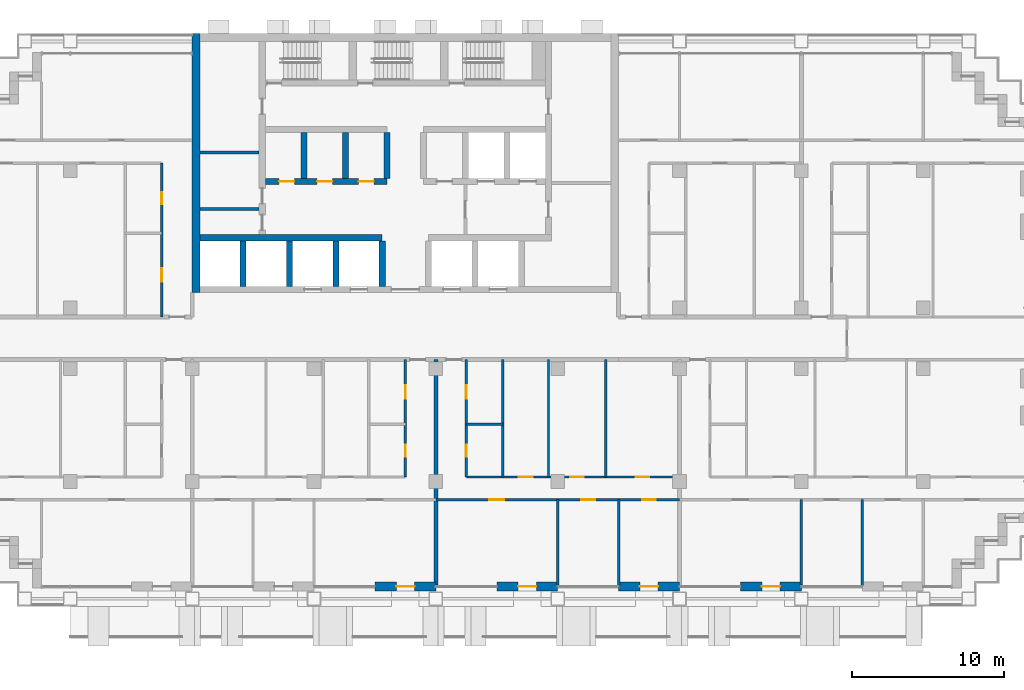
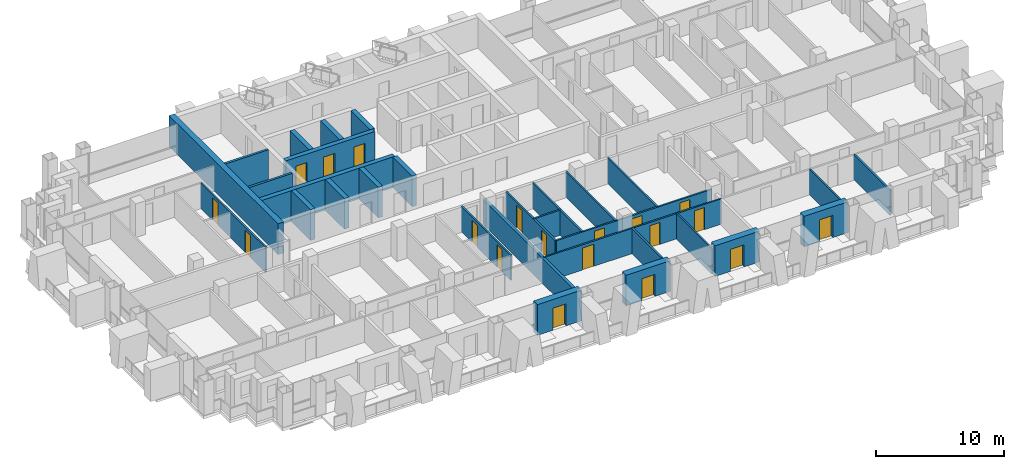
# One storey, part 10 of 17: 30 walls, 19 doors, 19 openings.
"""IFC4 building model written with IfcOpenShell, lengths in metres."""

import ifcopenshell
import ifcopenshell.guid

model = None  # the IFC model being written
_history = None  # IfcOwnerHistory: only IFC2X3 demands one
_inside = {}  # id of a spatial element -> (the spatial element, [elements in it])
_under = {}  # id of a project, library or spatial element -> (it, [spatial elements below it])
_declared = {}  # id of a project -> (the project, [libraries it declares])
_typed = {}  # id of a type object -> (the type object, [elements of that type])
_made_of = {}  # id of a material, layer set ... -> (it, [elements and type objects made of it])


def new_model(schema):
    """Start an empty IFC model of exactly this schema.

    Asked for "IFC4X3", IfcOpenShell would pick the latest addendum, in which some entities
    have other attributes; the version numbers below select the first issue.
    IFC2X3 requires an IfcOwnerHistory on every rooted entity: one is made here for all.
    """
    global model, _history
    if schema == "IFC4X3":
        model = ifcopenshell.file(schema_version=(4, 3, 0, 0))
    else:
        model = ifcopenshell.file(schema=schema)
    _inside.clear()
    _under.clear()
    _declared.clear()
    _typed.clear()
    _made_of.clear()
    _history = None
    if model.schema == "IFC2X3":
        org = make("IfcOrganization", Name="unknown")
        user = make(
            "IfcPersonAndOrganization",
            ThePerson=make("IfcPerson", FamilyName="unknown"),
            TheOrganization=org,
        )
        app = make(
            "IfcApplication",
            ApplicationDeveloper=org,
            Version="unknown",
            ApplicationFullName="unknown",
            ApplicationIdentifier="unknown",
        )
        _history = make(
            "IfcOwnerHistory",
            OwningUser=user,
            OwningApplication=app,
            ChangeAction="ADDED",
            CreationDate=0,
        )
    return model


def make(cls, **values):
    """One entity of the class cls with the attributes given. An attribute that is None is left unset."""
    return model.create_entity(
        cls, **{name: value for name, value in values.items() if value is not None}
    )


def rooted(cls, **values):
    """An entity with a GlobalId (a new one), such as an element, a storey or a relation."""
    return make(cls, GlobalId=ifcopenshell.guid.new(), OwnerHistory=_history, **values)


def si_unit(unit_type, name, prefix=None):
    """IfcSIUnit, for example si_unit("LENGTHUNIT", "METRE", prefix="MILLI")."""
    return make("IfcSIUnit", UnitType=unit_type, Prefix=prefix, Name=name)


def assignment(units):
    """IfcUnitAssignment: the units of a project."""
    return None if units is None else make("IfcUnitAssignment", Units=units)


def point(xyz):
    """IfcCartesianPoint."""
    return None if xyz is None else make("IfcCartesianPoint", Coordinates=xyz)


def direction(xyz):
    """IfcDirection."""
    return None if xyz is None else make("IfcDirection", DirectionRatios=xyz)


def frame(location, z_axis=None, x_axis=None):
    """IfcAxis2Placement3D, a coordinate frame: its origin and axes. An axis left out is left unset."""
    return make(
        "IfcAxis2Placement3D",
        Location=point(location),
        Axis=direction(z_axis),
        RefDirection=direction(x_axis),
    )


def frame_2d(location, x_axis=None):
    """IfcAxis2Placement2D, a coordinate frame in the plane: its origin and x axis."""
    return make(
        "IfcAxis2Placement2D", Location=point(location), RefDirection=direction(x_axis)
    )


def origin():
    """The frame at (0, 0, 0) with its axes left unset."""
    return frame((0.0, 0.0, 0.0))


def place(relative_to, where):
    """IfcLocalPlacement: puts the frame where relative to a parent placement (None: the world)."""
    return make(
        "IfcLocalPlacement", PlacementRelTo=relative_to, RelativePlacement=where
    )


def context(
    kind, dimensions, precision=None, world=None, true_north=None, identifier=None
):
    """IfcGeometricRepresentationContext, for example the 3D "Model" context."""
    return make(
        "IfcGeometricRepresentationContext",
        ContextIdentifier=identifier,
        ContextType=kind,
        CoordinateSpaceDimension=dimensions,
        Precision=precision,
        WorldCoordinateSystem=world,
        TrueNorth=true_north,
    )


def subcontext(parent, identifier, kind, view, scale=None):
    """IfcGeometricRepresentationSubContext, for example "Body" below "Model"."""
    return make(
        "IfcGeometricRepresentationSubContext",
        ContextIdentifier=identifier,
        ContextType=kind,
        ParentContext=parent,
        TargetScale=scale,
        TargetView=view,
    )


def project(units=None, contexts=None):
    """IfcProject with its units and contexts."""
    return rooted(
        "IfcProject",
        Name="project",
        RepresentationContexts=contexts,
        UnitsInContext=assignment(units),
    )


def spatial(cls, under=None, at=None, **own):
    """A site, building, storey or space (cls), placed at a placement, below another one or the project."""
    s = rooted(cls, ObjectPlacement=at, **own)
    if under is not None:
        _under.setdefault(under.id(), (under, []))[1].append(s)
    return s


def profile(cls, at=None, kind="AREA", **sizes):
    """A parametric profile (cls). Its sizes go by their IFC names, for example OverallWidth=200.0."""
    return make(cls, ProfileType=kind, Position=at, **sizes)


def rectangle(**sizes):
    """IfcRectangleProfileDef."""
    return profile("IfcRectangleProfileDef", **sizes)


def extrude(swept, where, along, depth):
    """IfcExtrudedAreaSolid: the profile swept, set in the frame where, extruded along a direction by depth."""
    return make(
        "IfcExtrudedAreaSolid",
        SweptArea=swept,
        Position=where,
        ExtrudedDirection=direction(along),
        Depth=depth,
    )


def shape(context_of_items, identifier, shape_type, items):
    """IfcShapeRepresentation: the items that make up one representation, for example the "Body"."""
    return make(
        "IfcShapeRepresentation",
        ContextOfItems=context_of_items,
        RepresentationIdentifier=identifier,
        RepresentationType=shape_type,
        Items=items,
    )


def material(Name=None, Category=None):
    """IfcMaterial."""
    return make("IfcMaterial", Name=Name, Category=Category)


def layer(
    of_material, thickness, ventilated=None, Name=None, Category=None, Priority=None
):
    """IfcMaterialLayer: one layer of a wall or slab, of a material (None: an air gap)."""
    return make(
        "IfcMaterialLayer",
        Material=of_material,
        LayerThickness=thickness,
        IsVentilated=ventilated,
        Name=Name,
        Category=Category,
        Priority=Priority,
    )


def layer_set(layers, Name=None):
    """IfcMaterialLayerSet."""
    return make("IfcMaterialLayerSet", MaterialLayers=layers, LayerSetName=Name)


def made_of(thing, what):
    """Note that an element or type object is made of a material, layer set ...; save() writes the relation."""
    if what is not None:
        _made_of.setdefault(what.id(), (what, []))[1].append(thing)
    return thing


def type_object(cls, material=None, **own):
    """A type object (cls), such as IfcWallType, which elements share."""
    return made_of(rooted(cls, **own), material)


def element(
    cls,
    number,
    at=None,
    inside=None,
    cuts=None,
    type_object=None,
    material=None,
    context=None,
    identifier="Body",
    shape_type=None,
    held_by="IfcProductDefinitionShape",
    body=None,
    shapes=None,
    **own,
):
    """One element of the class cls, such as IfcWall. Its Tag is "e" and its number.

    at: its placement. inside: the storey or other place that contains it. cuts: it is an
    opening in that element (IfcRelVoidsElement). A single representation is given by context,
    identifier, shape_type and body (its items); several are given by shapes. held_by: the class
    of the entity that holds the representations. save() writes the other relations.
    """
    e = rooted(cls, Tag="e%d" % number, ObjectPlacement=at, **own)
    if body is not None:
        shapes = [shape(context, identifier, shape_type, body)]
    if shapes is not None:
        e.Representation = make(held_by, Representations=shapes)
    if inside is not None:
        _inside.setdefault(inside.id(), (inside, []))[1].append(e)
    if cuts is not None:
        rooted(
            "IfcRelVoidsElement", RelatingBuildingElement=cuts, RelatedOpeningElement=e
        )
    if type_object is not None:
        _typed.setdefault(type_object.id(), (type_object, []))[1].append(e)
    return made_of(e, material)


def fill(opening, filler):
    """IfcRelFillsElement: the door or window that sits in an opening."""
    return rooted(
        "IfcRelFillsElement",
        RelatingOpeningElement=opening,
        RelatedBuildingElement=filler,
    )


def aggregate(whole, parts):
    """IfcRelAggregates: a whole, such as a stair, and the parts it consists of."""
    return rooted("IfcRelAggregates", RelatingObject=whole, RelatedObjects=parts)


def save(model, path):
    """Write the relations noted so far, then the file.

    IfcRelAggregates (storeys below a building ...), IfcRelContainedInSpatialStructure (elements
    in a storey), IfcRelDefinesByType, IfcRelAssociatesMaterial and IfcRelDeclares: one each for
    every whole, place, type object, material and project.
    """
    for whole, parts in _under.values():
        aggregate(whole, parts)
    for where, things in _inside.values():
        rooted(
            "IfcRelContainedInSpatialStructure",
            RelatedElements=things,
            RelatingStructure=where,
        )
    for kind, things in _typed.values():
        rooted("IfcRelDefinesByType", RelatedObjects=things, RelatingType=kind)
    for what, things in _made_of.values():
        rooted("IfcRelAssociatesMaterial", RelatedObjects=things, RelatingMaterial=what)
    for by, libraries in _declared.values():
        rooted("IfcRelDeclares", RelatingContext=by, RelatedDefinitions=libraries)
    model.write(path)


model = new_model("IFC4")

# Units and contexts
model_context = context("Model", 3, precision=1e-05, world=origin(), true_north=direction((0.0, 1.0)))
body_context = subcontext(model_context, "Body", "Model", "MODEL_VIEW")
ifc_project = project(units=[si_unit("LENGTHUNIT", "METRE"), si_unit("AREAUNIT", "SQUARE_METRE"), si_unit("VOLUMEUNIT", "CUBIC_METRE"), si_unit("PLANEANGLEUNIT", "RADIAN"), si_unit("MASSUNIT", "GRAM", prefix="KILO")], contexts=[model_context])

# Site, building, storey
site_placement = place(None, origin())
site = spatial("IfcSite", under=ifc_project, at=site_placement, CompositionType="ELEMENT")
building_placement = place(site_placement, origin())
building = spatial("IfcBuilding", under=site, at=building_placement, Name="Vidyagriha Tower", CompositionType="ELEMENT")
storey_placement = place(building_placement, frame((0.0, 0.0, 87.10009765625)))
storey = spatial("IfcBuildingStorey", under=building, at=storey_placement, Name="L22", CompositionType="ELEMENT", Elevation=87.10009765625)

# Wall, opening, door
ifc_material_1 = material(Name="Precast concrete C40/50 with brick facing", Category="concrete")
ifc_layer_1 = layer(ifc_material_1, 0.60009765625)
ifc_layer_set_1 = layer_set([ifc_layer_1], Name="Precast concrete C40/50 with brick facing")
wall_type_1 = type_object("IfcWallType", Name="Brick-faced precast wall 600", PredefinedType="STANDARD", material=ifc_layer_set_1)
wall_1_placement = place(storey_placement, frame((-2.0, -16.300048828125, 0.0)))
wall_1 = element("IfcWall", 1, at=wall_1_placement, inside=storey, type_object=wall_type_1, Name="Brick door bay wall L22 R23.7", PredefinedType="STANDARD", context=body_context, shape_type="SweptSolid", body=[
    extrude(rectangle(XDim=4.0, YDim=0.60009765625, at=frame_2d((2.0, 0.0))), origin(), (0.0, 0.0, 1.0), 2.919921875),
])
opening_1_placement = place(wall_1_placement, frame((1.39990234375, 0.0, 0.0)))
opening_1 = element("IfcOpeningElement", 2, at=opening_1_placement, cuts=wall_1, Name="Opening D22-76", PredefinedType="OPENING", context=body_context, shape_type="SweptSolid", body=[
    extrude(rectangle(XDim=1.199951171875, YDim=2.10009765625, at=frame_2d((0.60009765625, 1.050048828125))), frame((0.0, 0.31005859375, 0.0), z_axis=(0.0, -1.0, 0.0), x_axis=(1.0, 0.0, 0.0)), (0.0, 0.0, 1.0), 0.6201171875),
])
ifc_material_2 = material(Name="Aluminium framed glazed sliding door", Category="aluminium")
door_type_1 = type_object("IfcDoorType", Name="Balcony sliding door 1200x2100", OperationType="NOTDEFINED", PredefinedType="DOOR", material=ifc_material_2)
door_1_placement = place(opening_1_placement, origin())
door_1 = element("IfcDoor", 3, at=door_1_placement, inside=storey, type_object=door_type_1, Name="Door D22-76", OperationType="SLIDING_TO_LEFT", OverallHeight=2.10009765625, OverallWidth=1.199951171875, PredefinedType="DOOR", context=body_context, shape_type="SweptSolid", body=[
    extrude(rectangle(XDim=1.199951171875, YDim=2.10009765625, at=frame_2d((0.60009765625, 1.050048828125))), frame((0.0, 0.02490234375, 0.0), z_axis=(0.0, -1.0, 0.0), x_axis=(1.0, 0.0, 0.0)), (0.0, 0.0, 1.0), 0.050048828125),
])
fill(opening_1, door_1)

wall_2_placement = place(storey_placement, frame((6.0, -16.300048828125, 0.0)))
wall_2 = element("IfcWall", 4, at=wall_2_placement, inside=storey, type_object=wall_type_1, Name="Brick door bay wall L22 R23.9", PredefinedType="STANDARD", context=body_context, shape_type="SweptSolid", body=[
    extrude(rectangle(XDim=4.0, YDim=0.60009765625, at=frame_2d((2.0, 0.0))), origin(), (0.0, 0.0, 1.0), 2.919921875),
])
opening_2_placement = place(wall_2_placement, frame((1.39990234375, 0.0, 0.0)))
opening_2 = element("IfcOpeningElement", 5, at=opening_2_placement, cuts=wall_2, Name="Opening D22-77", PredefinedType="OPENING", context=body_context, shape_type="SweptSolid", body=[
    extrude(rectangle(XDim=1.199951171875, YDim=2.10009765625, at=frame_2d((0.60009765625, 1.050048828125))), frame((0.0, 0.31005859375, 0.0), z_axis=(0.0, -1.0, 0.0), x_axis=(1.0, 0.0, 0.0)), (0.0, 0.0, 1.0), 0.6201171875),
])
door_2_placement = place(opening_2_placement, origin())
door_2 = element("IfcDoor", 6, at=door_2_placement, inside=storey, type_object=door_type_1, Name="Door D22-77", OperationType="SLIDING_TO_LEFT", OverallHeight=2.10009765625, OverallWidth=1.199951171875, PredefinedType="DOOR", context=body_context, shape_type="SweptSolid", body=[
    extrude(rectangle(XDim=1.199951171875, YDim=2.10009765625, at=frame_2d((0.60009765625, 1.050048828125))), frame((0.0, 0.02490234375, 0.0), z_axis=(0.0, -1.0, 0.0), x_axis=(1.0, 0.0, 0.0)), (0.0, 0.0, 1.0), 0.050048828125),
])
fill(opening_2, door_2)

wall_3_placement = place(storey_placement, frame((14.0, -16.300048828125, 0.0)))
wall_3 = element("IfcWall", 7, at=wall_3_placement, inside=storey, type_object=wall_type_1, Name="Brick door bay wall L22 R23.11", PredefinedType="STANDARD", context=body_context, shape_type="SweptSolid", body=[
    extrude(rectangle(XDim=4.0, YDim=0.60009765625, at=frame_2d((2.0, 0.0))), origin(), (0.0, 0.0, 1.0), 2.919921875),
])
opening_3_placement = place(wall_3_placement, frame((1.39990234375, 0.0, 0.0)))
opening_3 = element("IfcOpeningElement", 8, at=opening_3_placement, cuts=wall_3, Name="Opening D22-78", PredefinedType="OPENING", context=body_context, shape_type="SweptSolid", body=[
    extrude(rectangle(XDim=1.199951171875, YDim=2.10009765625, at=frame_2d((0.60009765625, 1.050048828125))), frame((0.0, 0.31005859375, 0.0), z_axis=(0.0, -1.0, 0.0), x_axis=(1.0, 0.0, 0.0)), (0.0, 0.0, 1.0), 0.6201171875),
])
door_3_placement = place(opening_3_placement, origin())
door_3 = element("IfcDoor", 9, at=door_3_placement, inside=storey, type_object=door_type_1, Name="Door D22-78", OperationType="SLIDING_TO_LEFT", OverallHeight=2.10009765625, OverallWidth=1.199951171875, PredefinedType="DOOR", context=body_context, shape_type="SweptSolid", body=[
    extrude(rectangle(XDim=1.199951171875, YDim=2.10009765625, at=frame_2d((0.60009765625, 1.050048828125))), frame((0.0, 0.02490234375, 0.0), z_axis=(0.0, -1.0, 0.0), x_axis=(1.0, 0.0, 0.0)), (0.0, 0.0, 1.0), 0.050048828125),
])
fill(opening_3, door_3)

wall_4_placement = place(storey_placement, frame((22.0, -16.300048828125, 0.0)))
wall_4 = element("IfcWall", 10, at=wall_4_placement, inside=storey, type_object=wall_type_1, Name="Brick door bay wall L22 R23.13", PredefinedType="STANDARD", context=body_context, shape_type="SweptSolid", body=[
    extrude(rectangle(XDim=4.0, YDim=0.60009765625, at=frame_2d((2.0, 0.0))), origin(), (0.0, 0.0, 1.0), 2.919921875),
])
opening_4_placement = place(wall_4_placement, frame((1.39990234375, 0.0, 0.0)))
opening_4 = element("IfcOpeningElement", 11, at=opening_4_placement, cuts=wall_4, Name="Opening D22-79", PredefinedType="OPENING", context=body_context, shape_type="SweptSolid", body=[
    extrude(rectangle(XDim=1.199951171875, YDim=2.10009765625, at=frame_2d((0.60009765625, 1.050048828125))), frame((0.0, 0.31005859375, 0.0), z_axis=(0.0, -1.0, 0.0), x_axis=(1.0, 0.0, 0.0)), (0.0, 0.0, 1.0), 0.6201171875),
])
door_4_placement = place(opening_4_placement, origin())
door_4 = element("IfcDoor", 12, at=door_4_placement, inside=storey, type_object=door_type_1, Name="Door D22-79", OperationType="SLIDING_TO_LEFT", OverallHeight=2.10009765625, OverallWidth=1.199951171875, PredefinedType="DOOR", context=body_context, shape_type="SweptSolid", body=[
    extrude(rectangle(XDim=1.199951171875, YDim=2.10009765625, at=frame_2d((0.60009765625, 1.050048828125))), frame((0.0, 0.02490234375, 0.0), z_axis=(0.0, -1.0, 0.0), x_axis=(1.0, 0.0, 0.0)), (0.0, 0.0, 1.0), 0.050048828125),
])
fill(opening_4, door_4)

# Walls
ifc_material_3 = material(Name="Concrete C60/75", Category="concrete")
ifc_layer_2 = layer(ifc_material_3, 0.39990234375)
ifc_layer_set_2 = layer_set([ifc_layer_2], Name="Concrete C60/75")
wall_type_2 = type_object("IfcWallType", Name="Core shear wall 400 mm", PredefinedType="SHEAR", material=ifc_layer_set_2)
wall_5_placement = place(storey_placement, frame((-13.5, 6.60009765625, 0.0)))
element("IfcWall", 13, at=wall_5_placement, inside=storey, type_object=wall_type_2, Name="Core lobby south wall west", PredefinedType="SHEAR", context=body_context, shape_type="SweptSolid", body=[
    extrude(rectangle(XDim=11.977783203125, YDim=0.39990234375, at=frame_2d((5.98876953125, 0.0))), origin(), (0.0, 0.0, 1.0), 2.919921875),
])
for number, where, z_axis, x_axis, name in (
    (14, (-10.655517578125, 3.39990234375, 0.0), (0.0, 0.0, 1.0), (0.0, 1.0, 0.0), "Core bay wall S1"),
    (15, (-7.611083984375, 3.39990234375, 0.0), (0.0, 0.0, 1.0), (0.0, 1.0, 0.0), "Core bay wall S2"),
    (16, (-4.566650390625, 3.39990234375, 0.0), (0.0, 0.0, 1.0), (0.0, 1.0, 0.0), "Core bay wall S3"),
    (17, (-1.522216796875, 3.39990234375, 0.0), (0.0, 0.0, 1.0), (0.0, 1.0, 0.0), "Core bay wall S4"),
):
    element("IfcWall", number, at=place(storey_placement, frame(where, z_axis=z_axis, x_axis=x_axis)), inside=storey, type_object=wall_type_2, Name=name, PredefinedType="SHEAR", context=body_context, shape_type="SweptSolid", body=[
        extrude(rectangle(XDim=3.0, YDim=0.39990234375, at=frame_2d((1.5, 0.0))), origin(), (0.0, 0.0, 1.0), 2.919921875),
    ])

# Wall, openings, doors
wall_6_placement = place(storey_placement, frame((-9.199951171875, 10.300048828125, 0.0)))
wall_6 = element("IfcWall", 18, at=wall_6_placement, inside=storey, type_object=wall_type_2, Name="Core row N front wall", PredefinedType="SHEAR", context=body_context, shape_type="SweptSolid", body=[
    extrude(rectangle(XDim=8.0, YDim=0.39990234375, at=frame_2d((4.0, 0.0))), origin(), (0.0, 0.0, 1.0), 2.919921875),
])
opening_5_placement = place(wall_6_placement, frame((0.916748046875, 0.0, 0.0)))
opening_5 = element("IfcOpeningElement", 19, at=opening_5_placement, cuts=wall_6, Name="Opening D22-02", PredefinedType="OPENING", context=body_context, shape_type="SweptSolid", body=[
    extrude(rectangle(XDim=1.0, YDim=2.10009765625, at=frame_2d((0.5, 1.050048828125))), frame((0.0, 0.2099609375, 0.0), z_axis=(0.0, -1.0, 0.0), x_axis=(1.0, 0.0, 0.0)), (0.0, 0.0, 1.0), 0.419921875),
])
opening_6_placement = place(wall_6_placement, frame((3.39990234375, 0.0, 0.0)))
opening_6 = element("IfcOpeningElement", 20, at=opening_6_placement, cuts=wall_6, Name="Opening D22-03", PredefinedType="OPENING", context=body_context, shape_type="SweptSolid", body=[
    extrude(rectangle(XDim=1.0, YDim=2.10009765625, at=frame_2d((0.5, 1.050048828125))), frame((0.0, 0.2099609375, 0.0), z_axis=(0.0, -1.0, 0.0), x_axis=(1.0, 0.0, 0.0)), (0.0, 0.0, 1.0), 0.419921875),
])
opening_7_placement = place(wall_6_placement, frame((6.13330078125, 0.0, 0.0)))
opening_7 = element("IfcOpeningElement", 21, at=opening_7_placement, cuts=wall_6, Name="Opening D22-04", PredefinedType="OPENING", context=body_context, shape_type="SweptSolid", body=[
    extrude(rectangle(XDim=1.0, YDim=2.10009765625, at=frame_2d((0.5, 1.050048828125))), frame((0.0, 0.2099609375, 0.0), z_axis=(0.0, -1.0, 0.0), x_axis=(1.0, 0.0, 0.0)), (0.0, 0.0, 1.0), 0.419921875),
])
ifc_material_4 = material(Name="Hollow metal door leaf")
door_type_2 = type_object("IfcDoorType", Name="Core room door 1000 x 2100 mm EI 60", OperationType="NOTDEFINED", PredefinedType="DOOR", material=ifc_material_4)
door_5_placement = place(opening_5_placement, frame((1.0, 0.0, 0.0), z_axis=(0.0, 0.0, 1.0), x_axis=(-1.0, 0.0, 0.0)))
door_5 = element("IfcDoor", 22, at=door_5_placement, inside=storey, type_object=door_type_2, Name="Door Refuse Room 22.14", OperationType="SINGLE_SWING_RIGHT", OverallHeight=2.10009765625, OverallWidth=1.0, PredefinedType="DOOR", context=body_context, shape_type="SweptSolid", body=[
    extrude(rectangle(XDim=1.0, YDim=2.10009765625, at=frame_2d((0.5, 1.050048828125))), frame((0.0, 0.02490234375, 0.0), z_axis=(0.0, -1.0, 0.0), x_axis=(1.0, 0.0, 0.0)), (0.0, 0.0, 1.0), 0.050048828125),
])
fill(opening_5, door_5)
door_6_placement = place(opening_6_placement, frame((1.0, 0.0, 0.0), z_axis=(0.0, 0.0, 1.0), x_axis=(-1.0, 0.0, 0.0)))
door_6 = element("IfcDoor", 23, at=door_6_placement, inside=storey, type_object=door_type_2, Name="Door Pressurisation Plant Room 22.15", OperationType="SINGLE_SWING_RIGHT", OverallHeight=2.10009765625, OverallWidth=1.0, PredefinedType="DOOR", context=body_context, shape_type="SweptSolid", body=[
    extrude(rectangle(XDim=1.0, YDim=2.10009765625, at=frame_2d((0.5, 1.050048828125))), frame((0.0, 0.02490234375, 0.0), z_axis=(0.0, -1.0, 0.0), x_axis=(1.0, 0.0, 0.0)), (0.0, 0.0, 1.0), 0.050048828125),
])
fill(opening_6, door_6)
door_7_placement = place(opening_7_placement, frame((1.0, 0.0, 0.0), z_axis=(0.0, 0.0, 1.0), x_axis=(-1.0, 0.0, 0.0)))
door_7 = element("IfcDoor", 24, at=door_7_placement, inside=storey, type_object=door_type_2, Name="Door Switchgear Room 22.16", OperationType="SINGLE_SWING_LEFT", OverallHeight=2.10009765625, OverallWidth=1.0, PredefinedType="DOOR", context=body_context, shape_type="SweptSolid", body=[
    extrude(rectangle(XDim=1.0, YDim=2.10009765625, at=frame_2d((0.5, 1.050048828125))), frame((0.0, 0.02490234375, 0.0), z_axis=(0.0, -1.0, 0.0), x_axis=(1.0, 0.0, 0.0)), (0.0, 0.0, 1.0), 0.050048828125),
])
fill(opening_7, door_7)

# Walls
for number, where, z_axis, x_axis, name in (
    (25, (-6.666748046875, 10.5, 0.0), (0.0, 0.0, 1.0), (0.0, 1.0, 0.0), "Core bay wall N1"),
    (26, (-3.933349609375, 10.5, 0.0), (0.0, 0.0, 1.0), (0.0, 1.0, 0.0), "Core bay wall N2"),
    (27, (-1.199951171875, 10.5, 0.0), (0.0, 0.0, 1.0), (0.0, 1.0, 0.0), "Core bay wall N3"),
):
    element("IfcWall", number, at=place(storey_placement, frame(where, z_axis=z_axis, x_axis=x_axis)), inside=storey, type_object=wall_type_2, Name=name, PredefinedType="SHEAR", context=body_context, shape_type="SweptSolid", body=[
        extrude(rectangle(XDim=3.0, YDim=0.39990234375, at=frame_2d((1.5, 0.0))), origin(), (0.0, 0.0, 1.0), 2.919921875),
    ])
ifc_material_5 = material(Name="Concrete C60/75", Category="concrete")
ifc_layer_3 = layer(ifc_material_5, 0.5)
ifc_layer_set_3 = layer_set([ifc_layer_3], Name="Concrete C60/75")
wall_type_3 = type_object("IfcWallType", Name="Core shear wall 500 mm", PredefinedType="SHEAR", material=ifc_layer_set_3)
wall_7_placement = place(storey_placement, frame((-13.75, 3.0, 0.0), z_axis=(0.0, 0.0, 1.0), x_axis=(0.0, 1.0, 0.0)))
element("IfcWall", 28, at=wall_7_placement, inside=storey, type_object=wall_type_3, Name="Core west wall", PredefinedType="SHEAR", context=body_context, shape_type="SweptSolid", body=[
    extrude(rectangle(XDim=17.0, YDim=0.5, at=frame_2d((8.5, 0.0))), origin(), (0.0, 0.0, 1.0), 2.919921875),
])
ifc_material_6 = material(Name="Fired clay brick masonry", Category="masonry")
ifc_layer_4 = layer(ifc_material_6, 0.25)
ifc_layer_set_4 = layer_set([ifc_layer_4], Name="Fired clay brick masonry")
wall_type_4 = type_object("IfcWallType", Name="Fired clay brick demising wall 250", PredefinedType="PARTITIONING", material=ifc_layer_set_4)
wall_8_placement = place(storey_placement, frame((2.0, -1.39990234375, 0.0), z_axis=(0.0, 0.0, 1.0), x_axis=(0.0, -1.0, 0.0)))
element("IfcWall", 29, at=wall_8_placement, inside=storey, type_object=wall_type_4, Name="Wall all-L22-w052", PredefinedType="PARTITIONING", context=body_context, shape_type="SweptSolid", body=[
    extrude(rectangle(XDim=14.81005859375, YDim=0.25, at=frame_2d((7.405029296875, 0.0))), origin(), (0.0, 0.0, 1.0), 2.39990234375),
])
ifc_material_7 = material(Name="Gypsum board partition")
ifc_layer_5 = layer(ifc_material_7, 0.14990234375)
ifc_layer_set_5 = layer_set([ifc_layer_5], Name="Gypsum board partition")
wall_type_5 = type_object("IfcWallType", Name="Gypsum board partition 150", PredefinedType="PARTITIONING", material=ifc_layer_set_5)
wall_9_placement = place(storey_placement, frame((6.39990234375, -5.64990234375, 0.0), z_axis=(0.0, 0.0, 1.0), x_axis=(-1.0, 0.0, 0.0)))
element("IfcWall", 30, at=wall_9_placement, inside=storey, type_object=wall_type_5, Name="Wall all-L22-w037", PredefinedType="PARTITIONING", context=body_context, shape_type="SweptSolid", body=[
    extrude(rectangle(XDim=2.39990234375, YDim=0.14990234375, at=frame_2d((1.199951171875, 0.0))), origin(), (0.0, 0.0, 1.0), 2.39990234375),
])
for number, where, z_axis, x_axis, name in (
    (31, (6.39990234375, -1.39990234375, 0.0), (0.0, 0.0, 1.0), (0.0, -1.0, 0.0), "Wall all-L22-w038"),
    (32, (9.39990234375, -1.39990234375, 0.0), (0.0, 0.0, 1.0), (0.0, -1.0, 0.0), "Wall all-L22-w039"),
    (33, (13.14990234375, -1.39990234375, 0.0), (0.0, 0.0, 1.0), (0.0, -1.0, 0.0), "Wall all-L22-w040"),
):
    element("IfcWall", number, at=place(storey_placement, frame(where, z_axis=z_axis, x_axis=x_axis)), inside=storey, type_object=wall_type_5, Name=name, PredefinedType="PARTITIONING", context=body_context, shape_type="SweptSolid", body=[
        extrude(rectangle(XDim=7.7001953125, YDim=0.14990234375, at=frame_2d((3.85009765625, 0.0))), origin(), (0.0, 0.0, 1.0), 2.39990234375),
    ])

# Wall, openings, doors
wall_10_placement = place(storey_placement, frame((4.0, -9.10009765625, 0.0)))
wall_10 = element("IfcWall", 34, at=wall_10_placement, inside=storey, type_object=wall_type_5, Name="Wall all-L22-w041", PredefinedType="PARTITIONING", context=body_context, shape_type="SweptSolid", body=[
    extrude(rectangle(XDim=14.0, YDim=0.14990234375, at=frame_2d((7.0, 0.0))), origin(), (0.0, 0.0, 1.0), 2.39990234375),
])
opening_8_placement = place(wall_10_placement, frame((3.449951171875, 0.0, 0.0)))
opening_8 = element("IfcOpeningElement", 35, at=opening_8_placement, cuts=wall_10, Name="Opening D22-33", PredefinedType="OPENING", context=body_context, shape_type="SweptSolid", body=[
    extrude(rectangle(XDim=0.89990234375, YDim=2.10009765625, at=frame_2d((0.449951171875, 1.050048828125))), frame((0.0, 0.0849609375, 0.0), z_axis=(0.0, -1.0, 0.0), x_axis=(1.0, 0.0, 0.0)), (0.0, 0.0, 1.0), 0.169921875),
])
opening_9_placement = place(wall_10_placement, frame((6.824951171875, 0.0, 0.0)))
opening_9 = element("IfcOpeningElement", 36, at=opening_9_placement, cuts=wall_10, Name="Opening D22-34", PredefinedType="OPENING", context=body_context, shape_type="SweptSolid", body=[
    extrude(rectangle(XDim=0.89990234375, YDim=2.10009765625, at=frame_2d((0.449951171875, 1.050048828125))), frame((0.0, 0.0849609375, 0.0), z_axis=(0.0, -1.0, 0.0), x_axis=(1.0, 0.0, 0.0)), (0.0, 0.0, 1.0), 0.169921875),
])
opening_10_placement = place(wall_10_placement, frame((11.125, 0.0, 0.0)))
opening_10 = element("IfcOpeningElement", 37, at=opening_10_placement, cuts=wall_10, Name="Opening D22-35", PredefinedType="OPENING", context=body_context, shape_type="SweptSolid", body=[
    extrude(rectangle(XDim=0.89990234375, YDim=2.10009765625, at=frame_2d((0.449951171875, 1.050048828125))), frame((0.0, 0.0849609375, 0.0), z_axis=(0.0, -1.0, 0.0), x_axis=(1.0, 0.0, 0.0)), (0.0, 0.0, 1.0), 0.169921875),
])
ifc_material_8 = material(Name="Timber door leaf", Category="wood")
door_type_3 = type_object("IfcDoorType", Name="Room door 900x2100", OperationType="NOTDEFINED", PredefinedType="DOOR", material=ifc_material_8)
door_8_placement = place(opening_8_placement, origin())
door_8 = element("IfcDoor", 38, at=door_8_placement, inside=storey, type_object=door_type_3, Name="Door D22-33", OperationType="SINGLE_SWING_RIGHT", OverallHeight=2.10009765625, OverallWidth=0.89990234375, PredefinedType="DOOR", context=body_context, shape_type="SweptSolid", body=[
    extrude(rectangle(XDim=0.89990234375, YDim=2.10009765625, at=frame_2d((0.449951171875, 1.050048828125))), frame((0.0, 0.02490234375, 0.0), z_axis=(0.0, -1.0, 0.0), x_axis=(1.0, 0.0, 0.0)), (0.0, 0.0, 1.0), 0.050048828125),
])
fill(opening_8, door_8)
door_9_placement = place(opening_9_placement, origin())
door_9 = element("IfcDoor", 39, at=door_9_placement, inside=storey, type_object=door_type_3, Name="Door D22-34", OperationType="SINGLE_SWING_RIGHT", OverallHeight=2.10009765625, OverallWidth=0.89990234375, PredefinedType="DOOR", context=body_context, shape_type="SweptSolid", body=[
    extrude(rectangle(XDim=0.89990234375, YDim=2.10009765625, at=frame_2d((0.449951171875, 1.050048828125))), frame((0.0, 0.02490234375, 0.0), z_axis=(0.0, -1.0, 0.0), x_axis=(1.0, 0.0, 0.0)), (0.0, 0.0, 1.0), 0.050048828125),
])
fill(opening_9, door_9)
door_10_placement = place(opening_10_placement, origin())
door_10 = element("IfcDoor", 40, at=door_10_placement, inside=storey, type_object=door_type_3, Name="Door D22-35", OperationType="SINGLE_SWING_LEFT", OverallHeight=2.10009765625, OverallWidth=0.89990234375, PredefinedType="DOOR", context=body_context, shape_type="SweptSolid", body=[
    extrude(rectangle(XDim=0.89990234375, YDim=2.10009765625, at=frame_2d((0.449951171875, 1.050048828125))), frame((0.0, 0.02490234375, 0.0), z_axis=(0.0, -1.0, 0.0), x_axis=(1.0, 0.0, 0.0)), (0.0, 0.0, 1.0), 0.050048828125),
])
fill(opening_10, door_10)

wall_11_placement = place(storey_placement, frame((18.0, -10.60009765625, 0.0), z_axis=(0.0, 0.0, 1.0), x_axis=(-1.0, 0.0, 0.0)))
wall_11 = element("IfcWall", 41, at=wall_11_placement, inside=storey, type_object=wall_type_5, Name="Wall all-L22-w045", PredefinedType="PARTITIONING", context=body_context, shape_type="SweptSolid", body=[
    extrude(rectangle(XDim=16.0, YDim=0.14990234375, at=frame_2d((8.0, 0.0))), origin(), (0.0, 0.0, 1.0), 2.39990234375),
])
opening_11_placement = place(wall_11_placement, frame((11.5, 0.0, 0.0)))
opening_11 = element("IfcOpeningElement", 42, at=opening_11_placement, cuts=wall_11, Name="Opening D22-36", PredefinedType="OPENING", context=body_context, shape_type="SweptSolid", body=[
    extrude(rectangle(XDim=1.0, YDim=2.10009765625, at=frame_2d((0.5, 1.050048828125))), frame((0.0, 0.0849609375, 0.0), z_axis=(0.0, -1.0, 0.0), x_axis=(1.0, 0.0, 0.0)), (0.0, 0.0, 1.0), 0.169921875),
])
opening_12_placement = place(wall_11_placement, frame((5.550048828125, 0.0, 0.0)))
opening_12 = element("IfcOpeningElement", 43, at=opening_12_placement, cuts=wall_11, Name="Opening D22-37", PredefinedType="OPENING", context=body_context, shape_type="SweptSolid", body=[
    extrude(rectangle(XDim=0.89990234375, YDim=2.10009765625, at=frame_2d((0.449951171875, 1.050048828125))), frame((0.0, 0.0849609375, 0.0), z_axis=(0.0, -1.0, 0.0), x_axis=(1.0, 0.0, 0.0)), (0.0, 0.0, 1.0), 0.169921875),
])
opening_13_placement = place(wall_11_placement, frame((1.550048828125, 0.0, 0.0)))
opening_13 = element("IfcOpeningElement", 44, at=opening_13_placement, cuts=wall_11, Name="Opening D22-38", PredefinedType="OPENING", context=body_context, shape_type="SweptSolid", body=[
    extrude(rectangle(XDim=0.89990234375, YDim=2.10009765625, at=frame_2d((0.449951171875, 1.050048828125))), frame((0.0, 0.0849609375, 0.0), z_axis=(0.0, -1.0, 0.0), x_axis=(1.0, 0.0, 0.0)), (0.0, 0.0, 1.0), 0.169921875),
])
ifc_material_9 = material(Name="Timber door leaf", Category="wood")
door_type_4 = type_object("IfcDoorType", Name="Room door 1000x2100", OperationType="NOTDEFINED", PredefinedType="DOOR", material=ifc_material_9)
door_11_placement = place(opening_11_placement, origin())
door_11 = element("IfcDoor", 45, at=door_11_placement, inside=storey, type_object=door_type_4, Name="Door D22-36", OperationType="SINGLE_SWING_RIGHT", OverallHeight=2.10009765625, OverallWidth=1.0, PredefinedType="DOOR", context=body_context, shape_type="SweptSolid", body=[
    extrude(rectangle(XDim=1.0, YDim=2.10009765625, at=frame_2d((0.5, 1.050048828125))), frame((0.0, 0.02490234375, 0.0), z_axis=(0.0, -1.0, 0.0), x_axis=(1.0, 0.0, 0.0)), (0.0, 0.0, 1.0), 0.050048828125),
])
fill(opening_11, door_11)
door_12_placement = place(opening_12_placement, origin())
door_12 = element("IfcDoor", 46, at=door_12_placement, inside=storey, type_object=door_type_3, Name="Door D22-37", OperationType="SINGLE_SWING_RIGHT", OverallHeight=2.10009765625, OverallWidth=0.89990234375, PredefinedType="DOOR", context=body_context, shape_type="SweptSolid", body=[
    extrude(rectangle(XDim=0.89990234375, YDim=2.10009765625, at=frame_2d((0.449951171875, 1.050048828125))), frame((0.0, 0.02490234375, 0.0), z_axis=(0.0, -1.0, 0.0), x_axis=(1.0, 0.0, 0.0)), (0.0, 0.0, 1.0), 0.050048828125),
])
fill(opening_12, door_12)
door_13_placement = place(opening_13_placement, origin())
door_13 = element("IfcDoor", 47, at=door_13_placement, inside=storey, type_object=door_type_3, Name="Door D22-38", OperationType="SINGLE_SWING_RIGHT", OverallHeight=2.10009765625, OverallWidth=0.89990234375, PredefinedType="DOOR", context=body_context, shape_type="SweptSolid", body=[
    extrude(rectangle(XDim=0.89990234375, YDim=2.10009765625, at=frame_2d((0.449951171875, 1.050048828125))), frame((0.0, 0.02490234375, 0.0), z_axis=(0.0, -1.0, 0.0), x_axis=(1.0, 0.0, 0.0)), (0.0, 0.0, 1.0), 0.050048828125),
])
fill(opening_13, door_13)

# Walls
wall_12_placement = place(storey_placement, frame((10.0, -10.60009765625, 0.0), z_axis=(0.0, 0.0, 1.0), x_axis=(0.0, -1.0, 0.0)))
element("IfcWall", 48, at=wall_12_placement, inside=storey, type_object=wall_type_5, Name="Wall all-L22-w049", PredefinedType="PARTITIONING", context=body_context, shape_type="SweptSolid", body=[
    extrude(rectangle(XDim=5.60986328125, YDim=0.14990234375, at=frame_2d((2.804931640625, 0.0))), origin(), (0.0, 0.0, 1.0), 2.39990234375),
])
wall_13_placement = place(storey_placement, frame((14.0, -10.60009765625, 0.0), z_axis=(0.0, 0.0, 1.0), x_axis=(0.0, -1.0, 0.0)))
element("IfcWall", 49, at=wall_13_placement, inside=storey, type_object=wall_type_5, Name="Wall all-L22-w050", PredefinedType="PARTITIONING", context=body_context, shape_type="SweptSolid", body=[
    extrude(rectangle(XDim=5.620849609375, YDim=0.14990234375, at=frame_2d((2.810546875, 0.0))), origin(), (0.0, 0.0, 1.0), 2.39990234375),
])
wall_14_placement = place(storey_placement, frame((26.0, -10.60009765625, 0.0), z_axis=(0.0, 0.0, 1.0), x_axis=(0.0, -1.0, 0.0)))
element("IfcWall", 50, at=wall_14_placement, inside=storey, type_object=wall_type_5, Name="Wall all-L22-w069", PredefinedType="PARTITIONING", context=body_context, shape_type="SweptSolid", body=[
    extrude(rectangle(XDim=5.60986328125, YDim=0.14990234375, at=frame_2d((2.804931640625, 0.0))), origin(), (0.0, 0.0, 1.0), 2.39990234375),
])
wall_15_placement = place(storey_placement, frame((30.0, -10.60009765625, 0.0), z_axis=(0.0, 0.0, 1.0), x_axis=(0.0, -1.0, 0.0)))
element("IfcWall", 51, at=wall_15_placement, inside=storey, type_object=wall_type_5, Name="Wall all-L22-w070", PredefinedType="PARTITIONING", context=body_context, shape_type="SweptSolid", body=[
    extrude(rectangle(XDim=5.620849609375, YDim=0.14990234375, at=frame_2d((2.810546875, 0.0))), origin(), (0.0, 0.0, 1.0), 2.39990234375),
])

# Wall, openings, doors
ifc_material_10 = material(Name="Moisture resistant gypsum board partition")
ifc_layer_6 = layer(ifc_material_10, 0.14990234375)
ifc_layer_set_6 = layer_set([ifc_layer_6], Name="Moisture resistant gypsum board partition")
wall_type_6 = type_object("IfcWallType", Name="Gypsum board wet-area partition 150", PredefinedType="PARTITIONING", material=ifc_layer_set_6)
wall_16_placement = place(storey_placement, frame((0.0, -9.10009765625, 0.0), z_axis=(0.0, 0.0, 1.0), x_axis=(0.0, 1.0, 0.0)))
wall_16 = element("IfcWall", 52, at=wall_16_placement, inside=storey, type_object=wall_type_6, Name="Wall all-L22-w015", PredefinedType="PARTITIONING", context=body_context, shape_type="SweptSolid", body=[
    extrude(rectangle(XDim=7.7001953125, YDim=0.14990234375, at=frame_2d((3.85009765625, 0.0))), origin(), (0.0, 0.0, 1.0), 2.39990234375),
])
opening_14_placement = place(wall_16_placement, frame((5.125, 0.0, 0.0)))
opening_14 = element("IfcOpeningElement", 53, at=opening_14_placement, cuts=wall_16, Name="Opening D22-22", PredefinedType="OPENING", context=body_context, shape_type="SweptSolid", body=[
    extrude(rectangle(XDim=0.89990234375, YDim=2.10009765625, at=frame_2d((0.449951171875, 1.050048828125))), frame((0.0, 0.0849609375, 0.0), z_axis=(0.0, -1.0, 0.0), x_axis=(1.0, 0.0, 0.0)), (0.0, 0.0, 1.0), 0.169921875),
])
opening_15_placement = place(wall_16_placement, frame((1.324951171875, 0.0, 0.0)))
opening_15 = element("IfcOpeningElement", 54, at=opening_15_placement, cuts=wall_16, Name="Opening D22-23", PredefinedType="OPENING", context=body_context, shape_type="SweptSolid", body=[
    extrude(rectangle(XDim=0.800048828125, YDim=2.10009765625, at=frame_2d((0.39990234375, 1.050048828125))), frame((0.0, 0.0849609375, 0.0), z_axis=(0.0, -1.0, 0.0), x_axis=(1.0, 0.0, 0.0)), (0.0, 0.0, 1.0), 0.169921875),
])
ifc_material_11 = material(Name="Timber door leaf", Category="wood")
door_type_5 = type_object("IfcDoorType", Name="Bathroom door 800x2100", OperationType="NOTDEFINED", PredefinedType="DOOR", material=ifc_material_11)
door_14_placement = place(opening_15_placement, origin())
door_14 = element("IfcDoor", 55, at=door_14_placement, inside=storey, type_object=door_type_5, Name="Door D22-23", OperationType="SINGLE_SWING_RIGHT", OverallHeight=2.10009765625, OverallWidth=0.800048828125, PredefinedType="DOOR", context=body_context, shape_type="SweptSolid", body=[
    extrude(rectangle(XDim=0.800048828125, YDim=2.10009765625, at=frame_2d((0.39990234375, 1.050048828125))), frame((0.0, 0.02490234375, 0.0), z_axis=(0.0, -1.0, 0.0), x_axis=(1.0, 0.0, 0.0)), (0.0, 0.0, 1.0), 0.050048828125),
])
fill(opening_15, door_14)
ifc_material_12 = material(Name="Timber door leaf", Category="wood")
door_type_6 = type_object("IfcDoorType", Name="Kitchen door 900x2100", OperationType="NOTDEFINED", PredefinedType="DOOR", material=ifc_material_12)
door_15_placement = place(opening_14_placement, origin())
door_15 = element("IfcDoor", 56, at=door_15_placement, inside=storey, type_object=door_type_6, Name="Door D22-22", OperationType="SINGLE_SWING_LEFT", OverallHeight=2.10009765625, OverallWidth=0.89990234375, PredefinedType="DOOR", context=body_context, shape_type="SweptSolid", body=[
    extrude(rectangle(XDim=0.89990234375, YDim=2.10009765625, at=frame_2d((0.449951171875, 1.050048828125))), frame((0.0, 0.02490234375, 0.0), z_axis=(0.0, -1.0, 0.0), x_axis=(1.0, 0.0, 0.0)), (0.0, 0.0, 1.0), 0.050048828125),
])
fill(opening_14, door_15)

wall_17_placement = place(storey_placement, frame((4.0, -1.39990234375, 0.0), z_axis=(0.0, 0.0, 1.0), x_axis=(0.0, -1.0, 0.0)))
wall_17 = element("IfcWall", 57, at=wall_17_placement, inside=storey, type_object=wall_type_6, Name="Wall all-L22-w034", PredefinedType="PARTITIONING", context=body_context, shape_type="SweptSolid", body=[
    extrude(rectangle(XDim=7.7001953125, YDim=0.14990234375, at=frame_2d((3.85009765625, 0.0))), origin(), (0.0, 0.0, 1.0), 2.39990234375),
])
opening_16_placement = place(wall_17_placement, frame((1.675048828125, 0.0, 0.0)))
opening_16 = element("IfcOpeningElement", 58, at=opening_16_placement, cuts=wall_17, Name="Opening D22-31", PredefinedType="OPENING", context=body_context, shape_type="SweptSolid", body=[
    extrude(rectangle(XDim=0.89990234375, YDim=2.10009765625, at=frame_2d((0.449951171875, 1.050048828125))), frame((0.0, 0.0849609375, 0.0), z_axis=(0.0, -1.0, 0.0), x_axis=(1.0, 0.0, 0.0)), (0.0, 0.0, 1.0), 0.169921875),
])
opening_17_placement = place(wall_17_placement, frame((5.574951171875, 0.0, 0.0)))
opening_17 = element("IfcOpeningElement", 59, at=opening_17_placement, cuts=wall_17, Name="Opening D22-32", PredefinedType="OPENING", context=body_context, shape_type="SweptSolid", body=[
    extrude(rectangle(XDim=0.800048828125, YDim=2.10009765625, at=frame_2d((0.39990234375, 1.050048828125))), frame((0.0, 0.0849609375, 0.0), z_axis=(0.0, -1.0, 0.0), x_axis=(1.0, 0.0, 0.0)), (0.0, 0.0, 1.0), 0.169921875),
])
door_16_placement = place(opening_17_placement, origin())
door_16 = element("IfcDoor", 60, at=door_16_placement, inside=storey, type_object=door_type_5, Name="Door D22-32", OperationType="SINGLE_SWING_RIGHT", OverallHeight=2.10009765625, OverallWidth=0.800048828125, PredefinedType="DOOR", context=body_context, shape_type="SweptSolid", body=[
    extrude(rectangle(XDim=0.800048828125, YDim=2.10009765625, at=frame_2d((0.39990234375, 1.050048828125))), frame((0.0, 0.02490234375, 0.0), z_axis=(0.0, -1.0, 0.0), x_axis=(1.0, 0.0, 0.0)), (0.0, 0.0, 1.0), 0.050048828125),
])
fill(opening_17, door_16)
door_17_placement = place(opening_16_placement, origin())
door_17 = element("IfcDoor", 61, at=door_17_placement, inside=storey, type_object=door_type_6, Name="Door D22-31", OperationType="SINGLE_SWING_LEFT", OverallHeight=2.10009765625, OverallWidth=0.89990234375, PredefinedType="DOOR", context=body_context, shape_type="SweptSolid", body=[
    extrude(rectangle(XDim=0.89990234375, YDim=2.10009765625, at=frame_2d((0.449951171875, 1.050048828125))), frame((0.0, 0.02490234375, 0.0), z_axis=(0.0, -1.0, 0.0), x_axis=(1.0, 0.0, 0.0)), (0.0, 0.0, 1.0), 0.050048828125),
])
fill(opening_16, door_17)

wall_18_placement = place(storey_placement, frame((-16.0, 1.39990234375, 0.0), z_axis=(0.0, 0.0, 1.0), x_axis=(0.0, 1.0, 0.0)))
wall_18 = element("IfcWall", 62, at=wall_18_placement, inside=storey, type_object=wall_type_6, Name="Wall all-L22-w077", PredefinedType="PARTITIONING", context=body_context, shape_type="SweptSolid", body=[
    extrude(rectangle(XDim=10.10009765625, YDim=0.14990234375, at=frame_2d((5.050048828125, 0.0))), origin(), (0.0, 0.0, 1.0), 2.39990234375),
])
opening_18_placement = place(wall_18_placement, frame((2.300048828125, 0.0, 0.0)))
opening_18 = element("IfcOpeningElement", 63, at=opening_18_placement, cuts=wall_18, Name="Opening D22-50", PredefinedType="OPENING", context=body_context, shape_type="SweptSolid", body=[
    extrude(rectangle(XDim=0.89990234375, YDim=2.10009765625, at=frame_2d((0.449951171875, 1.050048828125))), frame((0.0, 0.0849609375, 0.0), z_axis=(0.0, -1.0, 0.0), x_axis=(1.0, 0.0, 0.0)), (0.0, 0.0, 1.0), 0.169921875),
])
opening_19_placement = place(wall_18_placement, frame((7.39990234375, 0.0, 0.0)))
opening_19 = element("IfcOpeningElement", 64, at=opening_19_placement, cuts=wall_18, Name="Opening D22-51", PredefinedType="OPENING", context=body_context, shape_type="SweptSolid", body=[
    extrude(rectangle(XDim=0.800048828125, YDim=2.10009765625, at=frame_2d((0.39990234375, 1.050048828125))), frame((0.0, 0.0849609375, 0.0), z_axis=(0.0, -1.0, 0.0), x_axis=(1.0, 0.0, 0.0)), (0.0, 0.0, 1.0), 0.169921875),
])
door_18_placement = place(opening_19_placement, origin())
door_18 = element("IfcDoor", 65, at=door_18_placement, inside=storey, type_object=door_type_5, Name="Door D22-51", OperationType="SINGLE_SWING_LEFT", OverallHeight=2.10009765625, OverallWidth=0.800048828125, PredefinedType="DOOR", context=body_context, shape_type="SweptSolid", body=[
    extrude(rectangle(XDim=0.800048828125, YDim=2.10009765625, at=frame_2d((0.39990234375, 1.050048828125))), frame((0.0, 0.02490234375, 0.0), z_axis=(0.0, -1.0, 0.0), x_axis=(1.0, 0.0, 0.0)), (0.0, 0.0, 1.0), 0.050048828125),
])
fill(opening_19, door_18)
door_19_placement = place(opening_18_placement, origin())
door_19 = element("IfcDoor", 66, at=door_19_placement, inside=storey, type_object=door_type_6, Name="Door D22-50", OperationType="SINGLE_SWING_RIGHT", OverallHeight=2.10009765625, OverallWidth=0.89990234375, PredefinedType="DOOR", context=body_context, shape_type="SweptSolid", body=[
    extrude(rectangle(XDim=0.89990234375, YDim=2.10009765625, at=frame_2d((0.449951171875, 1.050048828125))), frame((0.0, 0.02490234375, 0.0), z_axis=(0.0, -1.0, 0.0), x_axis=(1.0, 0.0, 0.0)), (0.0, 0.0, 1.0), 0.050048828125),
])
fill(opening_18, door_19)

# Walls
ifc_material_13 = material(Name="Blockwork 15 MPa", Category="masonry")
ifc_layer_7 = layer(ifc_material_13, 0.199951171875)
ifc_layer_set_7 = layer_set([ifc_layer_7], Name="Blockwork 15 MPa")
wall_type_7 = type_object("IfcWallType", Name="Service room partition 200 mm", PredefinedType="PARTITIONING", material=ifc_layer_set_7)
for number, where, name in (
    (67, (-13.5, 8.5, 0.0), "Core room partition W1"),
    (68, (-13.5, 12.199951171875, 0.0), "Core room partition W2"),
):
    element("IfcWall", number, at=place(storey_placement, frame(where)), inside=storey, type_object=wall_type_7, Name=name, PredefinedType="PARTITIONING", context=body_context, shape_type="SweptSolid", body=[
        extrude(rectangle(XDim=3.89990234375, YDim=0.199951171875, at=frame_2d((1.949951171875, 0.0))), origin(), (0.0, 0.0, 1.0), 2.919921875),
    ])

save(model, "model.ifc")
